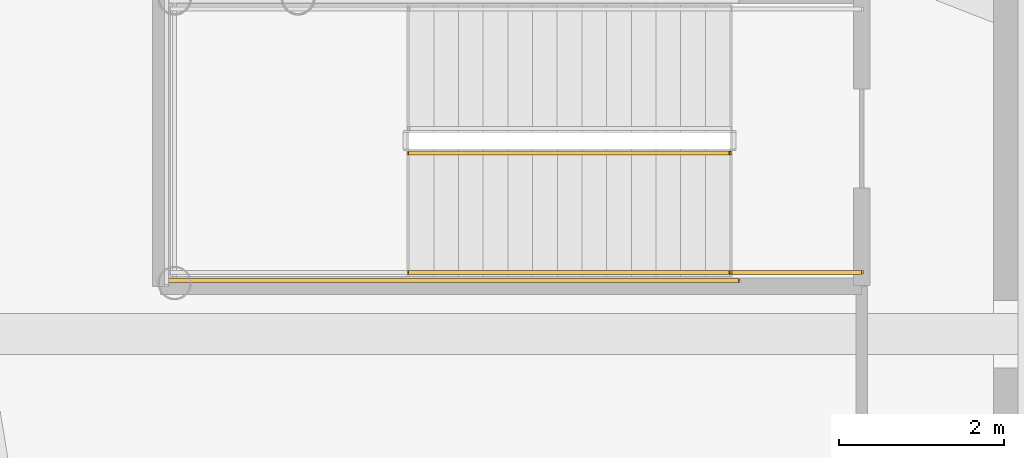
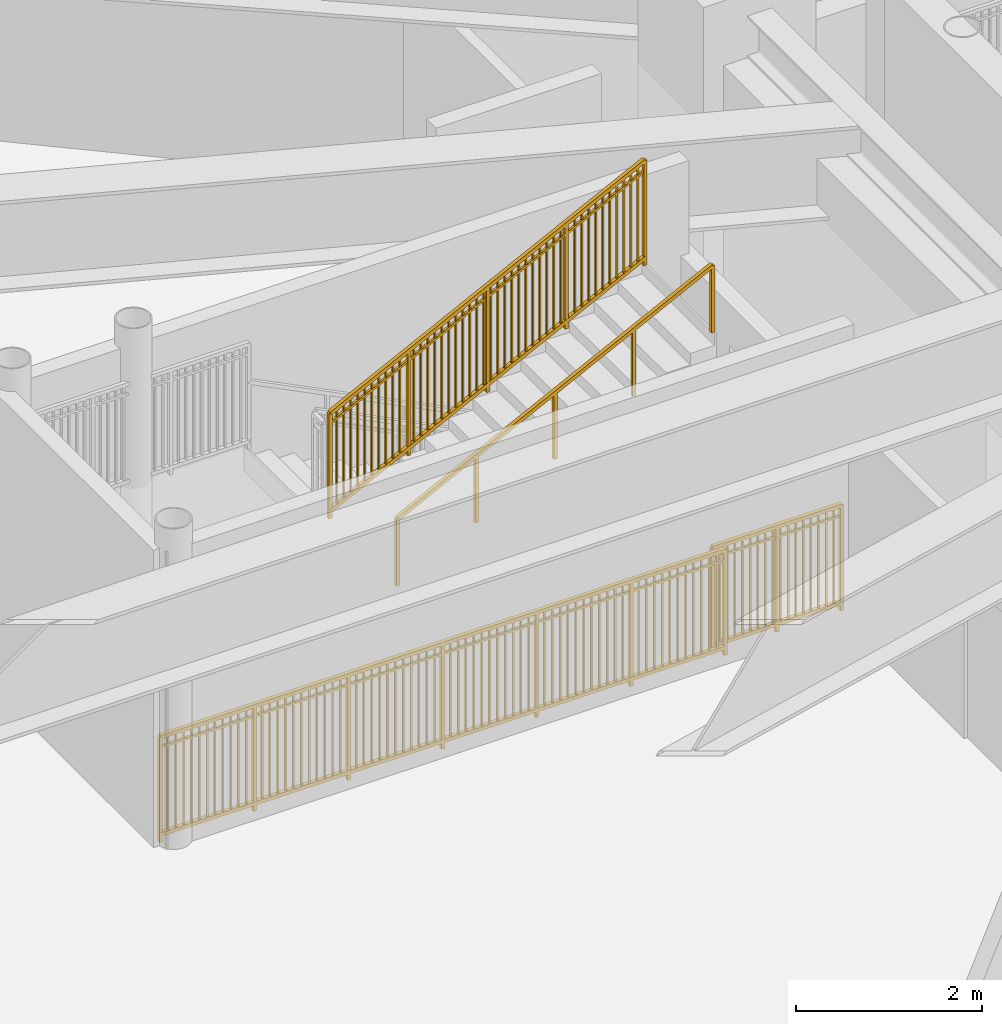
# One storey, part 19 of 27: 4 railings.
"""IFC4 building model written with IfcOpenShell, lengths in metres."""

from ifc_helpers import new_model, si_unit, direction, frame, origin, origin_2d, place, context, subcontext, project, spatial, rectangle, extrude, source, transform, mapped, material, type_object, element, save


model = new_model("IFC4")

# Units and contexts
model_context = context("Model", 3, precision=1e-05, world=origin(), true_north=direction((0.0, 1.0)))
body_context = subcontext(model_context, "Body", "Model", "MODEL_VIEW")
ifc_project = project(units=[si_unit("LENGTHUNIT", "METRE"), si_unit("AREAUNIT", "SQUARE_METRE"), si_unit("VOLUMEUNIT", "CUBIC_METRE"), si_unit("PLANEANGLEUNIT", "RADIAN"), si_unit("MASSUNIT", "GRAM", prefix="KILO")], contexts=[model_context])

# Site, building, storey
site_placement = place(None, origin())
site = spatial("IfcSite", under=ifc_project, at=site_placement, CompositionType="ELEMENT")
building_placement = place(site_placement, origin())
building = spatial("IfcBuilding", under=site, at=building_placement, Name="Linh Dai School and Residence Tower", CompositionType="ELEMENT")
storey_placement = place(building_placement, frame((0.0, 0.0, 22.800048828125)))
storey = spatial("IfcBuildingStorey", under=building, at=storey_placement, Name="L05", CompositionType="ELEMENT", Elevation=22.800048828125)

# Railings
ifc_material_1 = material(Name="Structural Steel S355JR", Category="steel")
railing_type_1 = type_object("IfcRailingType", Name="RL-ST-GUARD-1400", PredefinedType="GUARDRAIL", material=ifc_material_1)
shared_shape_1 = source(origin(), body_context, "Body", "SweptSolid", [
    extrude(rectangle(XDim=0.048095703125, YDim=0.048095703125, at=origin_2d()), frame((0.0, 0.0, 1.3759765625), z_axis=(-1.0, 0.0, 0.0), x_axis=(0.0, -1.0, 0.0)), (0.0, 0.0, 1.0), 1.60009765625),
    extrude(rectangle(XDim=0.048095703125, YDim=0.048095703125, at=origin_2d()), frame((0.0, 0.0, 0.10009765625), z_axis=(-1.0, 0.0, 0.0), x_axis=(0.0, -1.0, 0.0)), (0.0, 0.0, 1.0), 1.60009765625),
    extrude(rectangle(XDim=0.030029296875, YDim=0.030029296875, at=origin_2d()), frame((0.0, 0.0, 1.239990234375), z_axis=(-1.0, 0.0, 0.0), x_axis=(0.0, -1.0, 0.0)), (0.0, 0.0, 1.0), 1.60009765625),
    extrude(rectangle(XDim=0.02001953125, YDim=0.02001953125, at=origin_2d()), frame((-0.09423828125, 0.0, 0.10009765625)), (0.0, 0.0, 1.0), 1.251708984375),
    extrude(rectangle(XDim=0.02001953125, YDim=0.02001953125, at=origin_2d()), frame((-0.188232421875, 0.0, 0.10009765625)), (0.0, 0.0, 1.0), 1.251708984375),
    extrude(rectangle(XDim=0.02001953125, YDim=0.02001953125, at=origin_2d()), frame((-0.282470703125, 0.0, 0.10009765625)), (0.0, 0.0, 1.0), 1.251708984375),
    extrude(rectangle(XDim=0.02001953125, YDim=0.02001953125, at=origin_2d()), frame((-0.37646484375, 0.0, 0.10009765625)), (0.0, 0.0, 1.0), 1.251708984375),
    extrude(rectangle(XDim=0.02001953125, YDim=0.02001953125, at=origin_2d()), frame((-0.470703125, 0.0, 0.10009765625)), (0.0, 0.0, 1.0), 1.251708984375),
    extrude(rectangle(XDim=0.02001953125, YDim=0.02001953125, at=origin_2d()), frame((-0.564697265625, 0.0, 0.10009765625)), (0.0, 0.0, 1.0), 1.251708984375),
    extrude(rectangle(XDim=0.02001953125, YDim=0.02001953125, at=origin_2d()), frame((-0.658935546875, 0.0, 0.10009765625)), (0.0, 0.0, 1.0), 1.251708984375),
    extrude(rectangle(XDim=0.02001953125, YDim=0.02001953125, at=origin_2d()), frame((-0.7529296875, 0.0, 0.10009765625)), (0.0, 0.0, 1.0), 1.251708984375),
    extrude(rectangle(XDim=0.02001953125, YDim=0.02001953125, at=origin_2d()), frame((-0.84716796875, 0.0, 0.10009765625)), (0.0, 0.0, 1.0), 1.251708984375),
    extrude(rectangle(XDim=0.02001953125, YDim=0.02001953125, at=origin_2d()), frame((-0.941162109375, 0.0, 0.10009765625)), (0.0, 0.0, 1.0), 1.251708984375),
    extrude(rectangle(XDim=0.02001953125, YDim=0.02001953125, at=origin_2d()), frame((-1.035400390625, 0.0, 0.10009765625)), (0.0, 0.0, 1.0), 1.251708984375),
    extrude(rectangle(XDim=0.02001953125, YDim=0.02001953125, at=origin_2d()), frame((-1.12939453125, 0.0, 0.10009765625)), (0.0, 0.0, 1.0), 1.251708984375),
    extrude(rectangle(XDim=0.02001953125, YDim=0.02001953125, at=origin_2d()), frame((-1.2236328125, 0.0, 0.10009765625)), (0.0, 0.0, 1.0), 1.251708984375),
    extrude(rectangle(XDim=0.02001953125, YDim=0.02001953125, at=origin_2d()), frame((-1.317626953125, 0.0, 0.10009765625)), (0.0, 0.0, 1.0), 1.251708984375),
    extrude(rectangle(XDim=0.02001953125, YDim=0.02001953125, at=origin_2d()), frame((-1.411865234375, 0.0, 0.10009765625)), (0.0, 0.0, 1.0), 1.251708984375),
    extrude(rectangle(XDim=0.02001953125, YDim=0.02001953125, at=origin_2d()), frame((-1.505859375, 0.0, 0.10009765625)), (0.0, 0.0, 1.0), 1.251708984375),
    extrude(rectangle(XDim=0.0419921875, YDim=0.0419921875, at=origin_2d()), origin(), (0.0, 0.0, 1.0), 1.3759765625),
    extrude(rectangle(XDim=0.0419921875, YDim=0.0419921875, at=origin_2d()), frame((-0.800048828125, 0.0, 0.0)), (0.0, 0.0, 1.0), 1.3759765625),
    extrude(rectangle(XDim=0.0419921875, YDim=0.0419921875, at=origin_2d()), frame((-1.60009765625, 0.0, 0.0)), (0.0, 0.0, 1.0), 1.3759765625),
])
railing_1_placement = place(storey_placement, frame((24.0, 27.75, 0.0)))
element("IfcRailing", 1, at=railing_1_placement, inside=storey, type_object=railing_type_1, Name="L05 STS1 stair guard 9", PredefinedType="GUARDRAIL", context=body_context, shape_type="MappedRepresentation", body=[
    mapped(shared_shape_1, transform((0.0, 0.0, 0.0), x_axis=(1.0, 0.0, 0.0), y_axis=(0.0, 1.0, 0.0), z_axis=(0.0, 0.0, 1.0), scale=1.0)),
])
shared_shape_2 = source(origin(), body_context, "Body", "SweptSolid", [
    extrude(rectangle(XDim=0.048095703125, YDim=0.048095703125, at=origin_2d()), frame((0.0, 0.0, 1.3759765625), z_axis=(0.894427191, 0.0, 0.4472135955), x_axis=(0.0, 1.0, 0.0)), (0.0, 0.0, 1.0), 4.360107421875),
    extrude(rectangle(XDim=0.048095703125, YDim=0.048095703125, at=origin_2d()), frame((0.0, 0.0, 0.10009765625), z_axis=(0.894427191, 0.0, 0.4472135955), x_axis=(0.0, 1.0, 0.0)), (0.0, 0.0, 1.0), 4.360107421875),
    extrude(rectangle(XDim=0.030029296875, YDim=0.030029296875, at=origin_2d()), frame((0.0, 0.0, 1.239990234375), z_axis=(0.894427191, 0.0, 0.4472135955), x_axis=(0.0, 1.0, 0.0)), (0.0, 0.0, 1.0), 4.360107421875),
    extrude(rectangle(XDim=0.02001953125, YDim=0.02001953125, at=origin_2d()), frame((0.086669921875, 0.0, 0.143310546875)), (0.0, 0.0, 1.0), 1.251708984375),
    extrude(rectangle(XDim=0.02001953125, YDim=0.02001953125, at=origin_2d()), frame((0.17333984375, 0.0, 0.186767578125)), (0.0, 0.0, 1.0), 1.251708984375),
    extrude(rectangle(XDim=0.02001953125, YDim=0.02001953125, at=origin_2d()), frame((0.260009765625, 0.0, 0.22998046875)), (0.0, 0.0, 1.0), 1.251708984375),
    extrude(rectangle(XDim=0.02001953125, YDim=0.02001953125, at=origin_2d()), frame((0.3466796875, 0.0, 0.2734375)), (0.0, 0.0, 1.0), 1.251708984375),
    extrude(rectangle(XDim=0.02001953125, YDim=0.02001953125, at=origin_2d()), frame((0.433349609375, 0.0, 0.316650390625)), (0.0, 0.0, 1.0), 1.251708984375),
    extrude(rectangle(XDim=0.02001953125, YDim=0.02001953125, at=origin_2d()), frame((0.52001953125, 0.0, 0.360107421875)), (0.0, 0.0, 1.0), 1.251708984375),
    extrude(rectangle(XDim=0.02001953125, YDim=0.02001953125, at=origin_2d()), frame((0.606689453125, 0.0, 0.4033203125)), (0.0, 0.0, 1.0), 1.251708984375),
    extrude(rectangle(XDim=0.02001953125, YDim=0.02001953125, at=origin_2d()), frame((0.693359375, 0.0, 0.44677734375)), (0.0, 0.0, 1.0), 1.251708984375),
    extrude(rectangle(XDim=0.02001953125, YDim=0.02001953125, at=origin_2d()), frame((0.780029296875, 0.0, 0.489990234375)), (0.0, 0.0, 1.0), 1.251708984375),
    extrude(rectangle(XDim=0.02001953125, YDim=0.02001953125, at=origin_2d()), frame((0.86669921875, 0.0, 0.533447265625)), (0.0, 0.0, 1.0), 1.251708984375),
    extrude(rectangle(XDim=0.02001953125, YDim=0.02001953125, at=origin_2d()), frame((1.0400390625, 0.0, 0.6201171875)), (0.0, 0.0, 1.0), 1.251708984375),
    extrude(rectangle(XDim=0.02001953125, YDim=0.02001953125, at=origin_2d()), frame((1.126708984375, 0.0, 0.663330078125)), (0.0, 0.0, 1.0), 1.251708984375),
    extrude(rectangle(XDim=0.02001953125, YDim=0.02001953125, at=origin_2d()), frame((1.21337890625, 0.0, 0.706787109375)), (0.0, 0.0, 1.0), 1.251708984375),
    extrude(rectangle(XDim=0.02001953125, YDim=0.02001953125, at=origin_2d()), frame((1.300048828125, 0.0, 0.75)), (0.0, 0.0, 1.0), 1.251708984375),
    extrude(rectangle(XDim=0.02001953125, YDim=0.02001953125, at=origin_2d()), frame((1.38671875, 0.0, 0.79345703125)), (0.0, 0.0, 1.0), 1.251708984375),
    extrude(rectangle(XDim=0.02001953125, YDim=0.02001953125, at=origin_2d()), frame((1.473388671875, 0.0, 0.836669921875)), (0.0, 0.0, 1.0), 1.251708984375),
    extrude(rectangle(XDim=0.02001953125, YDim=0.02001953125, at=origin_2d()), frame((1.56005859375, 0.0, 0.880126953125)), (0.0, 0.0, 1.0), 1.251708984375),
    extrude(rectangle(XDim=0.02001953125, YDim=0.02001953125, at=origin_2d()), frame((1.646728515625, 0.0, 0.92333984375)), (0.0, 0.0, 1.0), 1.251708984375),
    extrude(rectangle(XDim=0.02001953125, YDim=0.02001953125, at=origin_2d()), frame((1.7333984375, 0.0, 0.966796875)), (0.0, 0.0, 1.0), 1.251708984375),
    extrude(rectangle(XDim=0.02001953125, YDim=0.02001953125, at=origin_2d()), frame((1.820068359375, 0.0, 1.010009765625)), (0.0, 0.0, 1.0), 1.251708984375),
    extrude(rectangle(XDim=0.02001953125, YDim=0.02001953125, at=origin_2d()), frame((1.90673828125, 0.0, 1.053466796875)), (0.0, 0.0, 1.0), 1.251708984375),
    extrude(rectangle(XDim=0.02001953125, YDim=0.02001953125, at=origin_2d()), frame((1.9931640625, 0.0, 1.0966796875)), (0.0, 0.0, 1.0), 1.251708984375),
    extrude(rectangle(XDim=0.02001953125, YDim=0.02001953125, at=origin_2d()), frame((2.079833984375, 0.0, 1.14013671875)), (0.0, 0.0, 1.0), 1.251708984375),
    extrude(rectangle(XDim=0.02001953125, YDim=0.02001953125, at=origin_2d()), frame((2.16650390625, 0.0, 1.183349609375)), (0.0, 0.0, 1.0), 1.251708984375),
    extrude(rectangle(XDim=0.02001953125, YDim=0.02001953125, at=origin_2d()), frame((2.253173828125, 0.0, 1.226806640625)), (0.0, 0.0, 1.0), 1.251708984375),
    extrude(rectangle(XDim=0.02001953125, YDim=0.02001953125, at=origin_2d()), frame((2.33984375, 0.0, 1.27001953125)), (0.0, 0.0, 1.0), 1.251708984375),
    extrude(rectangle(XDim=0.02001953125, YDim=0.02001953125, at=origin_2d()), frame((2.426513671875, 0.0, 1.3134765625)), (0.0, 0.0, 1.0), 1.251708984375),
    extrude(rectangle(XDim=0.02001953125, YDim=0.02001953125, at=origin_2d()), frame((2.51318359375, 0.0, 1.356689453125)), (0.0, 0.0, 1.0), 1.251708984375),
    extrude(rectangle(XDim=0.02001953125, YDim=0.02001953125, at=origin_2d()), frame((2.599853515625, 0.0, 1.400146484375)), (0.0, 0.0, 1.0), 1.251708984375),
    extrude(rectangle(XDim=0.02001953125, YDim=0.02001953125, at=origin_2d()), frame((2.6865234375, 0.0, 1.443359375)), (0.0, 0.0, 1.0), 1.251708984375),
    extrude(rectangle(XDim=0.02001953125, YDim=0.02001953125, at=origin_2d()), frame((2.773193359375, 0.0, 1.48681640625)), (0.0, 0.0, 1.0), 1.251708984375),
    extrude(rectangle(XDim=0.02001953125, YDim=0.02001953125, at=origin_2d()), frame((2.85986328125, 0.0, 1.530029296875)), (0.0, 0.0, 1.0), 1.251708984375),
    extrude(rectangle(XDim=0.02001953125, YDim=0.02001953125, at=origin_2d()), frame((3.033203125, 0.0, 1.61669921875)), (0.0, 0.0, 1.0), 1.251708984375),
    extrude(rectangle(XDim=0.02001953125, YDim=0.02001953125, at=origin_2d()), frame((3.119873046875, 0.0, 1.66015625)), (0.0, 0.0, 1.0), 1.251708984375),
    extrude(rectangle(XDim=0.02001953125, YDim=0.02001953125, at=origin_2d()), frame((3.20654296875, 0.0, 1.703369140625)), (0.0, 0.0, 1.0), 1.251708984375),
    extrude(rectangle(XDim=0.02001953125, YDim=0.02001953125, at=origin_2d()), frame((3.293212890625, 0.0, 1.746826171875)), (0.0, 0.0, 1.0), 1.251708984375),
    extrude(rectangle(XDim=0.02001953125, YDim=0.02001953125, at=origin_2d()), frame((3.3798828125, 0.0, 1.7900390625)), (0.0, 0.0, 1.0), 1.251708984375),
    extrude(rectangle(XDim=0.02001953125, YDim=0.02001953125, at=origin_2d()), frame((3.466552734375, 0.0, 1.83349609375)), (0.0, 0.0, 1.0), 1.251708984375),
    extrude(rectangle(XDim=0.02001953125, YDim=0.02001953125, at=origin_2d()), frame((3.55322265625, 0.0, 1.876708984375)), (0.0, 0.0, 1.0), 1.251708984375),
    extrude(rectangle(XDim=0.02001953125, YDim=0.02001953125, at=origin_2d()), frame((3.639892578125, 0.0, 1.920166015625)), (0.0, 0.0, 1.0), 1.251708984375),
    extrude(rectangle(XDim=0.02001953125, YDim=0.02001953125, at=origin_2d()), frame((3.7265625, 0.0, 1.96337890625)), (0.0, 0.0, 1.0), 1.251708984375),
    extrude(rectangle(XDim=0.02001953125, YDim=0.02001953125, at=origin_2d()), frame((3.813232421875, 0.0, 2.0068359375)), (0.0, 0.0, 1.0), 1.251708984375),
    extrude(rectangle(XDim=0.0419921875, YDim=0.0419921875, at=origin_2d()), origin(), (0.0, 0.0, 1.0), 1.3759765625),
    extrude(rectangle(XDim=0.0419921875, YDim=0.0419921875, at=origin_2d()), frame((0.97509765625, 0.0, 0.487548828125)), (0.0, 0.0, 1.0), 1.3759765625),
    extrude(rectangle(XDim=0.0419921875, YDim=0.0419921875, at=origin_2d()), frame((1.949951171875, 0.0, 0.97509765625)), (0.0, 0.0, 1.0), 1.3759765625),
    extrude(rectangle(XDim=0.0419921875, YDim=0.0419921875, at=origin_2d()), frame((2.9248046875, 0.0, 1.46240234375)), (0.0, 0.0, 1.0), 1.3759765625),
    extrude(rectangle(XDim=0.0419921875, YDim=0.0419921875, at=origin_2d()), frame((3.89990234375, 0.0, 1.949951171875)), (0.0, 0.0, 1.0), 1.3759765625),
])
railing_2_placement = place(storey_placement, frame((18.5, 29.199951171875, 2.25)))
element("IfcRailing", 2, at=railing_2_placement, inside=storey, type_object=railing_type_1, Name="L05 STS1 stair guard 6", PredefinedType="GUARDRAIL", context=body_context, shape_type="MappedRepresentation", body=[
    mapped(shared_shape_2, transform((0.0, 0.0, 0.0), x_axis=(1.0, 0.0, 0.0), y_axis=(0.0, 1.0, 0.0), z_axis=(0.0, 0.0, 1.0), scale=1.0)),
])
shared_shape_3 = source(origin(), body_context, "Body", "SweptSolid", [
    extrude(rectangle(XDim=0.048095703125, YDim=0.048095703125, at=origin_2d()), frame((0.0, 0.0, 1.3759765625), z_axis=(-1.0, 0.0, 0.0), x_axis=(0.0, -1.0, 0.0)), (0.0, 0.0, 1.0), 7.0),
    extrude(rectangle(XDim=0.048095703125, YDim=0.048095703125, at=origin_2d()), frame((0.0, 0.0, 0.10009765625), z_axis=(-1.0, 0.0, 0.0), x_axis=(0.0, -1.0, 0.0)), (0.0, 0.0, 1.0), 7.0),
    extrude(rectangle(XDim=0.030029296875, YDim=0.030029296875, at=origin_2d()), frame((0.0, 0.0, 1.239990234375), z_axis=(-1.0, 0.0, 0.0), x_axis=(0.0, -1.0, 0.0)), (0.0, 0.0, 1.0), 7.0),
    extrude(rectangle(XDim=0.02001953125, YDim=0.02001953125, at=origin_2d()), frame((-0.09716796875, 0.0, 0.10009765625)), (0.0, 0.0, 1.0), 1.251708984375),
    extrude(rectangle(XDim=0.02001953125, YDim=0.02001953125, at=origin_2d()), frame((-0.1943359375, 0.0, 0.10009765625)), (0.0, 0.0, 1.0), 1.251708984375),
    extrude(rectangle(XDim=0.02001953125, YDim=0.02001953125, at=origin_2d()), frame((-0.291748046875, 0.0, 0.10009765625)), (0.0, 0.0, 1.0), 1.251708984375),
    extrude(rectangle(XDim=0.02001953125, YDim=0.02001953125, at=origin_2d()), frame((-0.388916015625, 0.0, 0.10009765625)), (0.0, 0.0, 1.0), 1.251708984375),
    extrude(rectangle(XDim=0.02001953125, YDim=0.02001953125, at=origin_2d()), frame((-0.486083984375, 0.0, 0.10009765625)), (0.0, 0.0, 1.0), 1.251708984375),
    extrude(rectangle(XDim=0.02001953125, YDim=0.02001953125, at=origin_2d()), frame((-0.583251953125, 0.0, 0.10009765625)), (0.0, 0.0, 1.0), 1.251708984375),
    extrude(rectangle(XDim=0.02001953125, YDim=0.02001953125, at=origin_2d()), frame((-0.6806640625, 0.0, 0.10009765625)), (0.0, 0.0, 1.0), 1.251708984375),
    extrude(rectangle(XDim=0.02001953125, YDim=0.02001953125, at=origin_2d()), frame((-0.77783203125, 0.0, 0.10009765625)), (0.0, 0.0, 1.0), 1.251708984375),
    extrude(rectangle(XDim=0.02001953125, YDim=0.02001953125, at=origin_2d()), frame((-0.875, 0.0, 0.10009765625)), (0.0, 0.0, 1.0), 1.251708984375),
    extrude(rectangle(XDim=0.02001953125, YDim=0.02001953125, at=origin_2d()), frame((-0.97216796875, 0.0, 0.10009765625)), (0.0, 0.0, 1.0), 1.251708984375),
    extrude(rectangle(XDim=0.02001953125, YDim=0.02001953125, at=origin_2d()), frame((-1.0693359375, 0.0, 0.10009765625)), (0.0, 0.0, 1.0), 1.251708984375),
    extrude(rectangle(XDim=0.02001953125, YDim=0.02001953125, at=origin_2d()), frame((-1.263916015625, 0.0, 0.10009765625)), (0.0, 0.0, 1.0), 1.251708984375),
    extrude(rectangle(XDim=0.02001953125, YDim=0.02001953125, at=origin_2d()), frame((-1.361083984375, 0.0, 0.10009765625)), (0.0, 0.0, 1.0), 1.251708984375),
    extrude(rectangle(XDim=0.02001953125, YDim=0.02001953125, at=origin_2d()), frame((-1.458251953125, 0.0, 0.10009765625)), (0.0, 0.0, 1.0), 1.251708984375),
    extrude(rectangle(XDim=0.02001953125, YDim=0.02001953125, at=origin_2d()), frame((-1.5556640625, 0.0, 0.10009765625)), (0.0, 0.0, 1.0), 1.251708984375),
    extrude(rectangle(XDim=0.02001953125, YDim=0.02001953125, at=origin_2d()), frame((-1.65283203125, 0.0, 0.10009765625)), (0.0, 0.0, 1.0), 1.251708984375),
    extrude(rectangle(XDim=0.02001953125, YDim=0.02001953125, at=origin_2d()), frame((-1.75, 0.0, 0.10009765625)), (0.0, 0.0, 1.0), 1.251708984375),
    extrude(rectangle(XDim=0.02001953125, YDim=0.02001953125, at=origin_2d()), frame((-1.84716796875, 0.0, 0.10009765625)), (0.0, 0.0, 1.0), 1.251708984375),
    extrude(rectangle(XDim=0.02001953125, YDim=0.02001953125, at=origin_2d()), frame((-1.9443359375, 0.0, 0.10009765625)), (0.0, 0.0, 1.0), 1.251708984375),
    extrude(rectangle(XDim=0.02001953125, YDim=0.02001953125, at=origin_2d()), frame((-2.041748046875, 0.0, 0.10009765625)), (0.0, 0.0, 1.0), 1.251708984375),
    extrude(rectangle(XDim=0.02001953125, YDim=0.02001953125, at=origin_2d()), frame((-2.138916015625, 0.0, 0.10009765625)), (0.0, 0.0, 1.0), 1.251708984375),
    extrude(rectangle(XDim=0.02001953125, YDim=0.02001953125, at=origin_2d()), frame((-2.236083984375, 0.0, 0.10009765625)), (0.0, 0.0, 1.0), 1.251708984375),
    extrude(rectangle(XDim=0.02001953125, YDim=0.02001953125, at=origin_2d()), frame((-2.4306640625, 0.0, 0.10009765625)), (0.0, 0.0, 1.0), 1.251708984375),
    extrude(rectangle(XDim=0.02001953125, YDim=0.02001953125, at=origin_2d()), frame((-2.52783203125, 0.0, 0.10009765625)), (0.0, 0.0, 1.0), 1.251708984375),
    extrude(rectangle(XDim=0.02001953125, YDim=0.02001953125, at=origin_2d()), frame((-2.625, 0.0, 0.10009765625)), (0.0, 0.0, 1.0), 1.251708984375),
    extrude(rectangle(XDim=0.02001953125, YDim=0.02001953125, at=origin_2d()), frame((-2.72216796875, 0.0, 0.10009765625)), (0.0, 0.0, 1.0), 1.251708984375),
    extrude(rectangle(XDim=0.02001953125, YDim=0.02001953125, at=origin_2d()), frame((-2.8193359375, 0.0, 0.10009765625)), (0.0, 0.0, 1.0), 1.251708984375),
    extrude(rectangle(XDim=0.02001953125, YDim=0.02001953125, at=origin_2d()), frame((-2.916748046875, 0.0, 0.10009765625)), (0.0, 0.0, 1.0), 1.251708984375),
    extrude(rectangle(XDim=0.02001953125, YDim=0.02001953125, at=origin_2d()), frame((-3.013916015625, 0.0, 0.10009765625)), (0.0, 0.0, 1.0), 1.251708984375),
    extrude(rectangle(XDim=0.02001953125, YDim=0.02001953125, at=origin_2d()), frame((-3.111083984375, 0.0, 0.10009765625)), (0.0, 0.0, 1.0), 1.251708984375),
    extrude(rectangle(XDim=0.02001953125, YDim=0.02001953125, at=origin_2d()), frame((-3.208251953125, 0.0, 0.10009765625)), (0.0, 0.0, 1.0), 1.251708984375),
    extrude(rectangle(XDim=0.02001953125, YDim=0.02001953125, at=origin_2d()), frame((-3.3056640625, 0.0, 0.10009765625)), (0.0, 0.0, 1.0), 1.251708984375),
    extrude(rectangle(XDim=0.02001953125, YDim=0.02001953125, at=origin_2d()), frame((-3.40283203125, 0.0, 0.10009765625)), (0.0, 0.0, 1.0), 1.251708984375),
    extrude(rectangle(XDim=0.02001953125, YDim=0.02001953125, at=origin_2d()), frame((-3.59716796875, 0.0, 0.10009765625)), (0.0, 0.0, 1.0), 1.251708984375),
    extrude(rectangle(XDim=0.02001953125, YDim=0.02001953125, at=origin_2d()), frame((-3.6943359375, 0.0, 0.10009765625)), (0.0, 0.0, 1.0), 1.251708984375),
    extrude(rectangle(XDim=0.02001953125, YDim=0.02001953125, at=origin_2d()), frame((-3.791748046875, 0.0, 0.10009765625)), (0.0, 0.0, 1.0), 1.251708984375),
    extrude(rectangle(XDim=0.02001953125, YDim=0.02001953125, at=origin_2d()), frame((-3.888916015625, 0.0, 0.10009765625)), (0.0, 0.0, 1.0), 1.251708984375),
    extrude(rectangle(XDim=0.02001953125, YDim=0.02001953125, at=origin_2d()), frame((-3.986083984375, 0.0, 0.10009765625)), (0.0, 0.0, 1.0), 1.251708984375),
    extrude(rectangle(XDim=0.02001953125, YDim=0.02001953125, at=origin_2d()), frame((-4.083251953125, 0.0, 0.10009765625)), (0.0, 0.0, 1.0), 1.251708984375),
    extrude(rectangle(XDim=0.02001953125, YDim=0.02001953125, at=origin_2d()), frame((-4.1806640625, 0.0, 0.10009765625)), (0.0, 0.0, 1.0), 1.251708984375),
    extrude(rectangle(XDim=0.02001953125, YDim=0.02001953125, at=origin_2d()), frame((-4.27783203125, 0.0, 0.10009765625)), (0.0, 0.0, 1.0), 1.251708984375),
    extrude(rectangle(XDim=0.02001953125, YDim=0.02001953125, at=origin_2d()), frame((-4.375, 0.0, 0.10009765625)), (0.0, 0.0, 1.0), 1.251708984375),
    extrude(rectangle(XDim=0.02001953125, YDim=0.02001953125, at=origin_2d()), frame((-4.47216796875, 0.0, 0.10009765625)), (0.0, 0.0, 1.0), 1.251708984375),
    extrude(rectangle(XDim=0.02001953125, YDim=0.02001953125, at=origin_2d()), frame((-4.5693359375, 0.0, 0.10009765625)), (0.0, 0.0, 1.0), 1.251708984375),
    extrude(rectangle(XDim=0.02001953125, YDim=0.02001953125, at=origin_2d()), frame((-4.763916015625, 0.0, 0.10009765625)), (0.0, 0.0, 1.0), 1.251708984375),
    extrude(rectangle(XDim=0.02001953125, YDim=0.02001953125, at=origin_2d()), frame((-4.861083984375, 0.0, 0.10009765625)), (0.0, 0.0, 1.0), 1.251708984375),
    extrude(rectangle(XDim=0.02001953125, YDim=0.02001953125, at=origin_2d()), frame((-4.958251953125, 0.0, 0.10009765625)), (0.0, 0.0, 1.0), 1.251708984375),
    extrude(rectangle(XDim=0.02001953125, YDim=0.02001953125, at=origin_2d()), frame((-5.0556640625, 0.0, 0.10009765625)), (0.0, 0.0, 1.0), 1.251708984375),
    extrude(rectangle(XDim=0.02001953125, YDim=0.02001953125, at=origin_2d()), frame((-5.15283203125, 0.0, 0.10009765625)), (0.0, 0.0, 1.0), 1.251708984375),
    extrude(rectangle(XDim=0.02001953125, YDim=0.02001953125, at=origin_2d()), frame((-5.25, 0.0, 0.10009765625)), (0.0, 0.0, 1.0), 1.251708984375),
    extrude(rectangle(XDim=0.02001953125, YDim=0.02001953125, at=origin_2d()), frame((-5.34716796875, 0.0, 0.10009765625)), (0.0, 0.0, 1.0), 1.251708984375),
    extrude(rectangle(XDim=0.02001953125, YDim=0.02001953125, at=origin_2d()), frame((-5.4443359375, 0.0, 0.10009765625)), (0.0, 0.0, 1.0), 1.251708984375),
    extrude(rectangle(XDim=0.02001953125, YDim=0.02001953125, at=origin_2d()), frame((-5.541748046875, 0.0, 0.10009765625)), (0.0, 0.0, 1.0), 1.251708984375),
    extrude(rectangle(XDim=0.02001953125, YDim=0.02001953125, at=origin_2d()), frame((-5.638916015625, 0.0, 0.10009765625)), (0.0, 0.0, 1.0), 1.251708984375),
    extrude(rectangle(XDim=0.02001953125, YDim=0.02001953125, at=origin_2d()), frame((-5.736083984375, 0.0, 0.10009765625)), (0.0, 0.0, 1.0), 1.251708984375),
    extrude(rectangle(XDim=0.02001953125, YDim=0.02001953125, at=origin_2d()), frame((-5.9306640625, 0.0, 0.10009765625)), (0.0, 0.0, 1.0), 1.251708984375),
    extrude(rectangle(XDim=0.02001953125, YDim=0.02001953125, at=origin_2d()), frame((-6.02783203125, 0.0, 0.10009765625)), (0.0, 0.0, 1.0), 1.251708984375),
    extrude(rectangle(XDim=0.02001953125, YDim=0.02001953125, at=origin_2d()), frame((-6.125, 0.0, 0.10009765625)), (0.0, 0.0, 1.0), 1.251708984375),
    extrude(rectangle(XDim=0.02001953125, YDim=0.02001953125, at=origin_2d()), frame((-6.22216796875, 0.0, 0.10009765625)), (0.0, 0.0, 1.0), 1.251708984375),
    extrude(rectangle(XDim=0.02001953125, YDim=0.02001953125, at=origin_2d()), frame((-6.3193359375, 0.0, 0.10009765625)), (0.0, 0.0, 1.0), 1.251708984375),
    extrude(rectangle(XDim=0.02001953125, YDim=0.02001953125, at=origin_2d()), frame((-6.416748046875, 0.0, 0.10009765625)), (0.0, 0.0, 1.0), 1.251708984375),
    extrude(rectangle(XDim=0.02001953125, YDim=0.02001953125, at=origin_2d()), frame((-6.513916015625, 0.0, 0.10009765625)), (0.0, 0.0, 1.0), 1.251708984375),
    extrude(rectangle(XDim=0.02001953125, YDim=0.02001953125, at=origin_2d()), frame((-6.611083984375, 0.0, 0.10009765625)), (0.0, 0.0, 1.0), 1.251708984375),
    extrude(rectangle(XDim=0.02001953125, YDim=0.02001953125, at=origin_2d()), frame((-6.708251953125, 0.0, 0.10009765625)), (0.0, 0.0, 1.0), 1.251708984375),
    extrude(rectangle(XDim=0.02001953125, YDim=0.02001953125, at=origin_2d()), frame((-6.8056640625, 0.0, 0.10009765625)), (0.0, 0.0, 1.0), 1.251708984375),
    extrude(rectangle(XDim=0.02001953125, YDim=0.02001953125, at=origin_2d()), frame((-6.90283203125, 0.0, 0.10009765625)), (0.0, 0.0, 1.0), 1.251708984375),
    extrude(rectangle(XDim=0.0419921875, YDim=0.0419921875, at=origin_2d()), origin(), (0.0, 0.0, 1.0), 1.3759765625),
    extrude(rectangle(XDim=0.0419921875, YDim=0.0419921875, at=origin_2d()), frame((-1.166748046875, 0.0, 0.0)), (0.0, 0.0, 1.0), 1.3759765625),
    extrude(rectangle(XDim=0.0419921875, YDim=0.0419921875, at=origin_2d()), frame((-2.333251953125, 0.0, 0.0)), (0.0, 0.0, 1.0), 1.3759765625),
    extrude(rectangle(XDim=0.0419921875, YDim=0.0419921875, at=origin_2d()), frame((-3.5, 0.0, 0.0)), (0.0, 0.0, 1.0), 1.3759765625),
    extrude(rectangle(XDim=0.0419921875, YDim=0.0419921875, at=origin_2d()), frame((-4.666748046875, 0.0, 0.0)), (0.0, 0.0, 1.0), 1.3759765625),
    extrude(rectangle(XDim=0.0419921875, YDim=0.0419921875, at=origin_2d()), frame((-5.833251953125, 0.0, 0.0)), (0.0, 0.0, 1.0), 1.3759765625),
    extrude(rectangle(XDim=0.0419921875, YDim=0.0419921875, at=origin_2d()), frame((-7.0, 0.0, 0.0)), (0.0, 0.0, 1.0), 1.3759765625),
])
railing_3_placement = place(storey_placement, frame((22.5, 27.64990234375, 0.0)))
element("IfcRailing", 3, at=railing_3_placement, inside=storey, type_object=railing_type_1, Name="L05 STS1 stair guard 11", PredefinedType="GUARDRAIL", context=body_context, shape_type="MappedRepresentation", body=[
    mapped(shared_shape_3, transform((0.0, 0.0, 0.0), x_axis=(1.0, 0.0, 0.0), y_axis=(0.0, 1.0, 0.0), z_axis=(0.0, 0.0, 1.0), scale=1.0)),
])
ifc_material_2 = material(Name="Brushed Stainless Steel Handrail", Category="steel")
railing_type_2 = type_object("IfcRailingType", Name="RL-ST-HANDRAIL-900", PredefinedType="HANDRAIL", material=ifc_material_2)
shared_shape_4 = source(origin(), body_context, "Body", "SweptSolid", [
    extrude(rectangle(XDim=0.048095703125, YDim=0.048095703125, at=origin_2d()), frame((0.0, 0.0, 0.8759765625), z_axis=(0.894427191, 0.0, 0.4472135955), x_axis=(0.0, 1.0, 0.0)), (0.0, 0.0, 1.0), 4.360107421875),
    extrude(rectangle(XDim=0.0419921875, YDim=0.0419921875, at=origin_2d()), origin(), (0.0, 0.0, 1.0), 0.8759765625),
    extrude(rectangle(XDim=0.0419921875, YDim=0.0419921875, at=origin_2d()), frame((0.97509765625, 0.0, 0.487548828125)), (0.0, 0.0, 1.0), 0.8759765625),
    extrude(rectangle(XDim=0.0419921875, YDim=0.0419921875, at=origin_2d()), frame((1.949951171875, 0.0, 0.97509765625)), (0.0, 0.0, 1.0), 0.8759765625),
    extrude(rectangle(XDim=0.0419921875, YDim=0.0419921875, at=origin_2d()), frame((2.9248046875, 0.0, 1.46240234375)), (0.0, 0.0, 1.0), 0.8759765625),
    extrude(rectangle(XDim=0.0419921875, YDim=0.0419921875, at=origin_2d()), frame((3.89990234375, 0.0, 1.949951171875)), (0.0, 0.0, 1.0), 0.8759765625),
])
railing_4_placement = place(storey_placement, frame((18.5, 27.75, 2.25)))
element("IfcRailing", 4, at=railing_4_placement, inside=storey, type_object=railing_type_2, Name="L05 STS1 stair handrail 2", PredefinedType="HANDRAIL", context=body_context, shape_type="MappedRepresentation", body=[
    mapped(shared_shape_4, transform((0.0, 0.0, 0.0), x_axis=(1.0, 0.0, 0.0), y_axis=(0.0, 1.0, 0.0), z_axis=(0.0, 0.0, 1.0), scale=1.0)),
])

save(model, "model.ifc")
